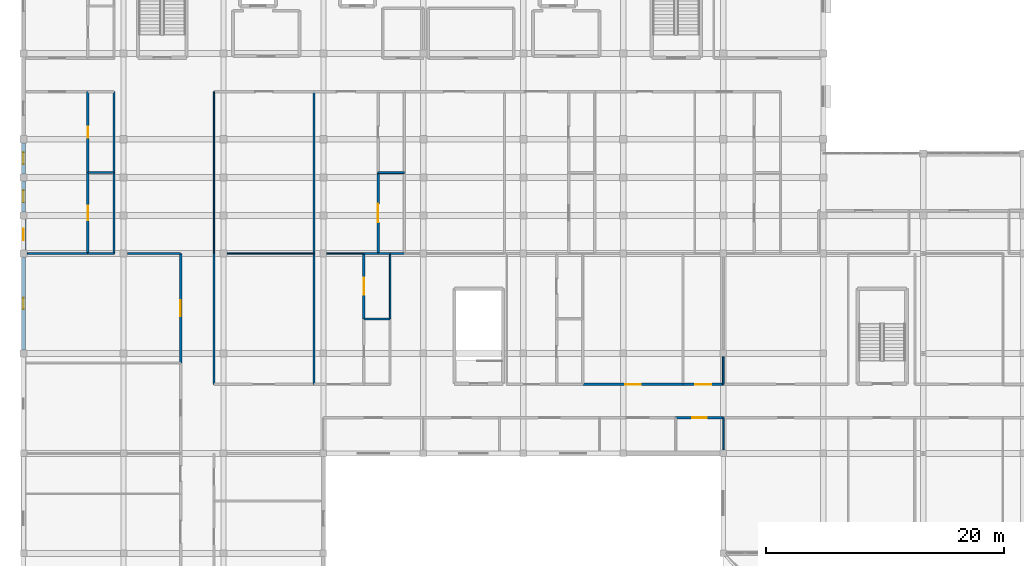
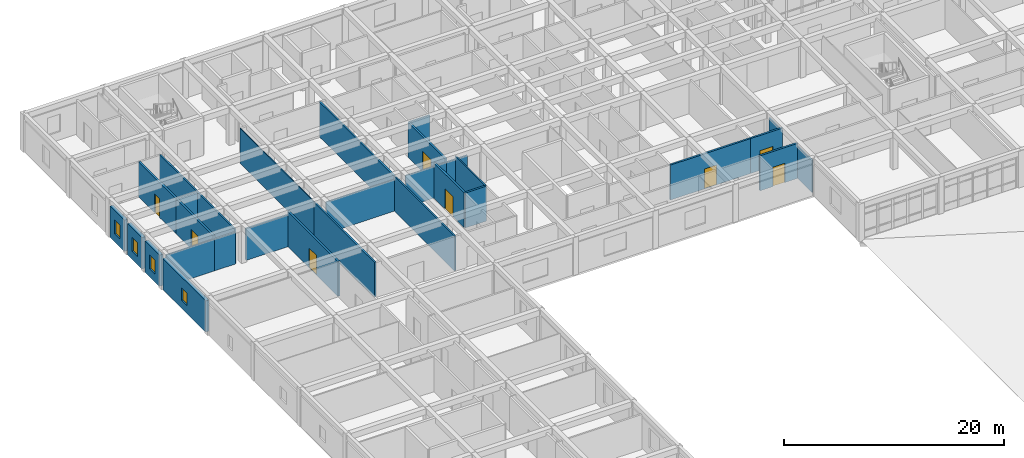
# One storey, part 47 of 77: 32 walls, 8 doors, 4 windows, 12 openings.
"""IFC4 building model written with IfcOpenShell, lengths in metres."""

from ifc_helpers import new_model, si_unit, direction, frame, frame_2d, origin, place, context, subcontext, project, spatial, rectangle, extrude, material, layer, layer_set, type_object, element, fill, save


model = new_model("IFC4")

# Units and contexts
model_context = context("Model", 3, precision=1e-05, world=origin(), true_north=direction((0.0, 1.0)))
body_context = subcontext(model_context, "Body", "Model", "MODEL_VIEW")
ifc_project = project(units=[si_unit("LENGTHUNIT", "METRE"), si_unit("AREAUNIT", "SQUARE_METRE"), si_unit("VOLUMEUNIT", "CUBIC_METRE"), si_unit("PLANEANGLEUNIT", "RADIAN"), si_unit("MASSUNIT", "GRAM", prefix="KILO")], contexts=[model_context])

# Site, building, storey
site_placement = place(None, origin())
site = spatial("IfcSite", under=ifc_project, at=site_placement, CompositionType="ELEMENT")
building_placement = place(site_placement, origin())
building = spatial("IfcBuilding", under=site, at=building_placement, Name="Varncliffe General Hospital", CompositionType="ELEMENT")
storey_placement = place(building_placement, frame((0.0, 0.0, 16.199951171875)))
storey = spatial("IfcBuildingStorey", under=building, at=storey_placement, Name="L03", CompositionType="ELEMENT", Elevation=16.199951171875)

# Wall, opening, window
ifc_material_1 = material(Name="Precast concrete C40/50 with insulated cream lime-cement stucco", Category="concrete")
ifc_layer_1 = layer(ifc_material_1, 0.3798828125)
ifc_layer_set_1 = layer_set([ifc_layer_1], Name="Precast concrete C40/50 with insulated cream lime-cement stucco")
wall_type_1 = type_object("IfcWallType", Name="Exterior Insulated Stucco Wall EW26 (380mm)", PredefinedType="SOLIDWALL", material=ifc_layer_set_1)
wall_1_placement = place(storey_placement, frame((0.0, 99.89794921875, 0.0), z_axis=(0.0, 0.0, 1.0), x_axis=(0.0, 1.0, 0.0)))
wall_1 = element("IfcWall", 1, at=wall_1_placement, inside=storey, type_object=wall_type_1, Name="L03 Exterior Stucco Wall EW26-231", PredefinedType="SOLIDWALL", context=body_context, shape_type="SweptSolid", body=[
    extrude(rectangle(XDim=2.60400390625, YDim=0.3798828125, at=frame_2d((1.302001953125, 0.0))), origin(), (0.0, 0.0, 1.0), 3.47998046875),
])
opening_1_placement = place(wall_1_placement, frame((0.802001953125, 0.0, 0.89990234375)))
opening_1 = element("IfcOpeningElement", 2, at=opening_1_placement, cuts=wall_1, Name="Opening WN21", PredefinedType="OPENING", context=body_context, shape_type="SweptSolid", body=[
    extrude(rectangle(XDim=1.0, YDim=1.550048828125, at=frame_2d((0.5, 0.77490234375))), frame((0.0, 0.199951171875, 0.0), z_axis=(0.0, -1.0, 0.0), x_axis=(1.0, 0.0, 0.0)), (0.0, 0.0, 1.0), 0.39990234375),
])
ifc_material_2 = material(Name="Triple low-E argon insulated vision glazing", Category="glass")
window_type_1 = type_object("IfcWindowType", Name="Triple-Glazed Hospital Window WN21 (1000x1550)", PartitioningType="SINGLE_PANEL", PredefinedType="WINDOW", material=ifc_material_2)
window_1_placement = place(opening_1_placement, origin())
window_1 = element("IfcWindow", 3, at=window_1_placement, inside=storey, type_object=window_type_1, Name="L03 Hospital Window WN21-153", OverallHeight=1.550048828125, OverallWidth=1.0, PartitioningType="SINGLE_PANEL", PredefinedType="WINDOW", context=body_context, shape_type="SweptSolid", body=[
    extrude(rectangle(XDim=1.0, YDim=1.550048828125, at=frame_2d((0.5, 0.77490234375))), frame((0.0, 0.030029296875, 0.0), z_axis=(0.0, -1.0, 0.0), x_axis=(1.0, 0.0, 0.0)), (0.0, 0.0, 1.0), 0.06005859375),
])
fill(opening_1, window_1)

ifc_layer_2 = layer(ifc_material_1, 0.330078125)
ifc_layer_set_2 = layer_set([ifc_layer_2], Name="Precast concrete C40/50 with insulated cream lime-cement stucco")
wall_type_2 = type_object("IfcWallType", Name="Exterior Insulated Stucco Wall EW33 (330mm)", PredefinedType="SOLIDWALL", material=ifc_layer_set_2)
wall_2_placement = place(storey_placement, frame((0.0, 106.298095703125, 0.0), z_axis=(0.0, 0.0, 1.0), x_axis=(0.0, 1.0, 0.0)))
wall_2 = element("IfcWall", 4, at=wall_2_placement, inside=storey, type_object=wall_type_2, Name="L03 Exterior Stucco Wall EW33-233", PredefinedType="SOLIDWALL", context=body_context, shape_type="SweptSolid", body=[
    extrude(rectangle(XDim=2.60400390625, YDim=0.330078125, at=frame_2d((1.302001953125, 0.0))), origin(), (0.0, 0.0, 1.0), 3.47998046875),
])
opening_2_placement = place(wall_2_placement, frame((0.802001953125, 0.0, 0.89990234375)))
opening_2 = element("IfcOpeningElement", 5, at=opening_2_placement, cuts=wall_2, Name="Opening WN21", PredefinedType="OPENING", context=body_context, shape_type="SweptSolid", body=[
    extrude(rectangle(XDim=1.0, YDim=1.550048828125, at=frame_2d((0.5, 0.77490234375))), frame((0.0, 0.175048828125, 0.0), z_axis=(0.0, -1.0, 0.0), x_axis=(1.0, 0.0, 0.0)), (0.0, 0.0, 1.0), 0.35009765625),
])
window_2_placement = place(opening_2_placement, origin())
window_2 = element("IfcWindow", 6, at=window_2_placement, inside=storey, type_object=window_type_1, Name="L03 Hospital Window WN21-155", OverallHeight=1.550048828125, OverallWidth=1.0, PartitioningType="SINGLE_PANEL", PredefinedType="WINDOW", context=body_context, shape_type="SweptSolid", body=[
    extrude(rectangle(XDim=1.0, YDim=1.550048828125, at=frame_2d((0.5, 0.77490234375))), frame((0.0, 0.030029296875, 0.0), z_axis=(0.0, -1.0, 0.0), x_axis=(1.0, 0.0, 0.0)), (0.0, 0.0, 1.0), 0.06005859375),
])
fill(opening_2, window_2)

ifc_layer_3 = layer(ifc_material_1, 0.35009765625)
ifc_layer_set_3 = layer_set([ifc_layer_3], Name="Precast concrete C40/50 with insulated cream lime-cement stucco")
wall_type_3 = type_object("IfcWallType", Name="Exterior Insulated Stucco Wall EW37 (350mm)", PredefinedType="SOLIDWALL", material=ifc_layer_set_3)
wall_3_placement = place(storey_placement, frame((0.0, 103.097900390625, 0.0), z_axis=(0.0, 0.0, 1.0), x_axis=(0.0, 1.0, 0.0)))
wall_3 = element("IfcWall", 7, at=wall_3_placement, inside=storey, type_object=wall_type_3, Name="L03 Exterior Stucco Wall EW37-232", PredefinedType="SOLIDWALL", context=body_context, shape_type="SweptSolid", body=[
    extrude(rectangle(XDim=2.60400390625, YDim=0.35009765625, at=frame_2d((1.302001953125, 0.0))), origin(), (0.0, 0.0, 1.0), 3.47998046875),
])
opening_3_placement = place(wall_3_placement, frame((0.802001953125, 0.0, 0.89990234375)))
opening_3 = element("IfcOpeningElement", 8, at=opening_3_placement, cuts=wall_3, Name="Opening WN21", PredefinedType="OPENING", context=body_context, shape_type="SweptSolid", body=[
    extrude(rectangle(XDim=1.0, YDim=1.550048828125, at=frame_2d((0.5, 0.77490234375))), frame((0.0, 0.18505859375, 0.0), z_axis=(0.0, -1.0, 0.0), x_axis=(1.0, 0.0, 0.0)), (0.0, 0.0, 1.0), 0.3701171875),
])
window_3_placement = place(opening_3_placement, origin())
window_3 = element("IfcWindow", 9, at=window_3_placement, inside=storey, type_object=window_type_1, Name="L03 Hospital Window WN21-154", OverallHeight=1.550048828125, OverallWidth=1.0, PartitioningType="SINGLE_PANEL", PredefinedType="WINDOW", context=body_context, shape_type="SweptSolid", body=[
    extrude(rectangle(XDim=1.0, YDim=1.550048828125, at=frame_2d((0.5, 0.77490234375))), frame((0.0, 0.030029296875, 0.0), z_axis=(0.0, -1.0, 0.0), x_axis=(1.0, 0.0, 0.0)), (0.0, 0.0, 1.0), 0.06005859375),
])
fill(opening_3, window_3)

wall_4_placement = place(storey_placement, frame((0.0, 91.498046875, 0.0), z_axis=(0.0, 0.0, 1.0), x_axis=(0.0, 1.0, 0.0)))
wall_4 = element("IfcWall", 10, at=wall_4_placement, inside=storey, type_object=wall_type_3, Name="L03 Exterior Stucco Wall EW37-304", PredefinedType="SOLIDWALL", context=body_context, shape_type="SweptSolid", body=[
    extrude(rectangle(XDim=7.803955078125, YDim=0.35009765625, at=frame_2d((3.90185546875, 0.0))), origin(), (0.0, 0.0, 1.0), 3.47998046875),
])
opening_4_placement = place(wall_4_placement, frame((3.427001953125, 0.0, 0.89990234375)))
opening_4 = element("IfcOpeningElement", 11, at=opening_4_placement, cuts=wall_4, Name="Opening WN39", PredefinedType="OPENING", context=body_context, shape_type="SweptSolid", body=[
    extrude(rectangle(XDim=0.949951171875, YDim=1.39990234375, at=frame_2d((0.47509765625, 0.699951171875))), frame((0.0, 0.18505859375, 0.0), z_axis=(0.0, -1.0, 0.0), x_axis=(1.0, 0.0, 0.0)), (0.0, 0.0, 1.0), 0.3701171875),
])
window_type_2 = type_object("IfcWindowType", Name="Triple-Glazed Hospital Window WN39 (950x1400)", PartitioningType="SINGLE_PANEL", PredefinedType="WINDOW", material=ifc_material_2)
window_4_placement = place(opening_4_placement, origin())
window_4 = element("IfcWindow", 12, at=window_4_placement, inside=storey, type_object=window_type_2, Name="L03 Hospital Window WN39-222", OverallHeight=1.39990234375, OverallWidth=0.949951171875, PartitioningType="SINGLE_PANEL", PredefinedType="WINDOW", context=body_context, shape_type="SweptSolid", body=[
    extrude(rectangle(XDim=0.949951171875, YDim=1.39990234375, at=frame_2d((0.47509765625, 0.699951171875))), frame((0.0, 0.030029296875, 0.0), z_axis=(0.0, -1.0, 0.0), x_axis=(1.0, 0.0, 0.0)), (0.0, 0.0, 1.0), 0.06005859375),
])
fill(opening_4, window_4)

# Walls
ifc_material_3 = material(Name="Acoustic clinical gypsum stud partition assembly", Category="gypsum")
ifc_layer_4 = layer(ifc_material_3, 0.1298828125)
ifc_layer_set_4 = layer_set([ifc_layer_4], Name="Acoustic clinical gypsum stud partition assembly")
wall_type_4 = type_object("IfcWallType", Name="Interior Partitioning IW11 (130mm)", PredefinedType="PARTITIONING", material=ifc_layer_set_4)
wall_5_placement = place(storey_placement, frame((0.31494140625, 99.60009765625, 0.0), z_axis=(0.0, 0.0, 1.0), x_axis=(1.0, 0.0, 0.0)))
element("IfcWall", 13, at=wall_5_placement, inside=storey, type_object=wall_type_4, Name="L03 Interior Partition Wall IW11-1398", PredefinedType="PARTITIONING", context=body_context, shape_type="SweptSolid", body=[
    extrude(rectangle(XDim=5.0849609375, YDim=0.1298828125, at=frame_2d((2.54248046875, 0.0))), origin(), (0.0, 0.0, 1.0), 3.53515625),
])
wall_6_placement = place(storey_placement, frame((28.60009765625, 99.60009765625, 0.0), z_axis=(0.0, 0.0, 1.0), x_axis=(1.0, 0.0, 0.0)))
element("IfcWall", 14, at=wall_6_placement, inside=storey, type_object=wall_type_4, Name="L03 Interior Partition Wall IW11-1403", PredefinedType="PARTITIONING", context=body_context, shape_type="SweptSolid", body=[
    extrude(rectangle(XDim=1.199951171875, YDim=0.1298828125, at=frame_2d((0.60009765625, 0.0))), origin(), (0.0, 0.0, 1.0), 3.53515625),
])
wall_7_placement = place(storey_placement, frame((30.800048828125, 94.10009765625, 0.0), z_axis=(0.0, 0.0, 1.0), x_axis=(0.0, 1.0, 0.0)))
element("IfcWall", 15, at=wall_7_placement, inside=storey, type_object=wall_type_4, Name="L03 Interior Partition Wall IW11-1543", PredefinedType="PARTITIONING", context=body_context, shape_type="SweptSolid", body=[
    extrude(rectangle(XDim=5.5, YDim=0.1298828125, at=frame_2d((2.75, 0.0))), origin(), (0.0, 0.0, 1.0), 3.89013671875),
])
wall_8_placement = place(storey_placement, frame((58.800048828125, 83.090087890625, 0.0), z_axis=(0.0, 0.0, 1.0), x_axis=(0.0, 1.0, 0.0)))
element("IfcWall", 16, at=wall_8_placement, inside=storey, type_object=wall_type_4, Name="L03 Interior Partition Wall IW11-1568", PredefinedType="PARTITIONING", context=body_context, shape_type="SweptSolid", body=[
    extrude(rectangle(XDim=2.7099609375, YDim=0.1298828125, at=frame_2d((1.35498046875, 0.0))), origin(), (0.0, 0.0, 1.0), 3.5849609375),
])
ifc_layer_5 = layer(ifc_material_3, 0.169921875)
ifc_layer_set_5 = layer_set([ifc_layer_5], Name="Acoustic clinical gypsum stud partition assembly")
wall_type_5 = type_object("IfcWallType", Name="Interior Partitioning IW20 (170mm)", PredefinedType="PARTITIONING", material=ifc_layer_set_5)
wall_9_placement = place(storey_placement, frame((8.715087890625, 99.60009765625, 0.0), z_axis=(0.0, 0.0, 1.0), x_axis=(1.0, 0.0, 0.0)))
element("IfcWall", 17, at=wall_9_placement, inside=storey, type_object=wall_type_5, Name="L03 Interior Partition Wall IW20-1400", PredefinedType="PARTITIONING", context=body_context, shape_type="SweptSolid", body=[
    extrude(rectangle(XDim=4.48486328125, YDim=0.169921875, at=frame_2d((2.242431640625, 0.0))), origin(), (0.0, 0.0, 1.0), 3.53515625),
])
wall_10_placement = place(storey_placement, frame((30.800048828125, 99.60009765625, 0.0), z_axis=(0.0, 0.0, 1.0), x_axis=(1.0, 0.0, 0.0)))
element("IfcWall", 18, at=wall_10_placement, inside=storey, type_object=wall_type_5, Name="L03 Interior Partition Wall IW20-1405", PredefinedType="PARTITIONING", context=body_context, shape_type="SweptSolid", body=[
    extrude(rectangle(XDim=1.199951171875, YDim=0.169921875, at=frame_2d((0.60009765625, 0.0))), origin(), (0.0, 0.0, 1.0), 3.53515625),
])
wall_11_placement = place(storey_placement, frame((16.0, 88.60009765625, 0.0), z_axis=(0.0, 0.0, 1.0), x_axis=(0.0, 1.0, 0.0)))
element("IfcWall", 19, at=wall_11_placement, inside=storey, type_object=wall_type_5, Name="L03 Interior Partition Wall IW20-1530", PredefinedType="PARTITIONING", context=body_context, shape_type="SweptSolid", body=[
    extrude(rectangle(XDim=11.0, YDim=0.169921875, at=frame_2d((5.5, 0.0))), origin(), (0.0, 0.0, 1.0), 3.89013671875),
])
wall_12_placement = place(storey_placement, frame((24.39990234375, 99.60009765625, 0.0), z_axis=(0.0, 0.0, 1.0), x_axis=(0.0, 1.0, 0.0)))
element("IfcWall", 20, at=wall_12_placement, inside=storey, type_object=wall_type_5, Name="L03 Interior Partition Wall IW20-1535", PredefinedType="PARTITIONING", context=body_context, shape_type="SweptSolid", body=[
    extrude(rectangle(XDim=13.599853515625, YDim=0.169921875, at=frame_2d((6.7998046875, 0.0))), origin(), (0.0, 0.0, 1.0), 3.89013671875),
])
ifc_layer_6 = layer(ifc_material_3, 0.14990234375)
ifc_layer_set_6 = layer_set([ifc_layer_6], Name="Acoustic clinical gypsum stud partition assembly")
wall_type_6 = type_object("IfcWallType", Name="Interior Partitioning IW35 (150mm)", PredefinedType="PARTITIONING", material=ifc_layer_set_6)
wall_13_placement = place(storey_placement, frame((5.39990234375, 99.60009765625, 0.0), z_axis=(0.0, 0.0, 1.0), x_axis=(1.0, 0.0, 0.0)))
element("IfcWall", 21, at=wall_13_placement, inside=storey, type_object=wall_type_6, Name="L03 Interior Partition Wall IW35-1399", PredefinedType="PARTITIONING", context=body_context, shape_type="SweptSolid", body=[
    extrude(rectangle(XDim=2.2001953125, YDim=0.14990234375, at=frame_2d((1.10009765625, 0.0))), origin(), (0.0, 0.0, 1.0), 3.53515625),
])
wall_14_placement = place(storey_placement, frame((29.800048828125, 99.60009765625, 0.0), z_axis=(0.0, 0.0, 1.0), x_axis=(1.0, 0.0, 0.0)))
element("IfcWall", 22, at=wall_14_placement, inside=storey, type_object=wall_type_6, Name="L03 Interior Partition Wall IW35-1404", PredefinedType="PARTITIONING", context=body_context, shape_type="SweptSolid", body=[
    extrude(rectangle(XDim=1.0, YDim=0.14990234375, at=frame_2d((0.5, 0.0))), origin(), (0.0, 0.0, 1.0), 3.53515625),
])
wall_15_placement = place(storey_placement, frame((7.60009765625, 99.60009765625, 0.0), z_axis=(0.0, 0.0, 1.0), x_axis=(0.0, 1.0, 0.0)))
element("IfcWall", 23, at=wall_15_placement, inside=storey, type_object=wall_type_6, Name="L03 Interior Partition Wall IW35-1514", PredefinedType="PARTITIONING", context=body_context, shape_type="SweptSolid", body=[
    extrude(rectangle(XDim=6.7998046875, YDim=0.14990234375, at=frame_2d((3.39990234375, 0.0))), origin(), (0.0, 0.0, 1.0), 3.89013671875),
])
wall_16_placement = place(storey_placement, frame((24.39990234375, 88.60009765625, 0.0), z_axis=(0.0, 0.0, 1.0), x_axis=(0.0, 1.0, 0.0)))
element("IfcWall", 24, at=wall_16_placement, inside=storey, type_object=wall_type_6, Name="L03 Interior Partition Wall IW35-1534", PredefinedType="PARTITIONING", context=body_context, shape_type="SweptSolid", body=[
    extrude(rectangle(XDim=11.0, YDim=0.14990234375, at=frame_2d((5.5, 0.0))), origin(), (0.0, 0.0, 1.0), 3.89013671875),
])
wall_17_placement = place(storey_placement, frame((58.800048828125, 88.60009765625, 0.0), z_axis=(0.0, 0.0, 1.0), x_axis=(0.0, 1.0, 0.0)))
element("IfcWall", 25, at=wall_17_placement, inside=storey, type_object=wall_type_6, Name="L03 Interior Partition Wall IW35-1570", PredefinedType="PARTITIONING", context=body_context, shape_type="SweptSolid", body=[
    extrude(rectangle(XDim=2.309814453125, YDim=0.14990234375, at=frame_2d((1.15478515625, 0.0))), origin(), (0.0, 0.0, 1.0), 3.5849609375),
])
ifc_layer_7 = layer(ifc_material_3, 0.090087890625)
ifc_layer_set_7 = layer_set([ifc_layer_7], Name="Acoustic clinical gypsum stud partition assembly")
wall_type_7 = type_object("IfcWallType", Name="Interior Partitioning IW42 (90mm)", PredefinedType="PARTITIONING", material=ifc_layer_set_7)
wall_18_placement = place(storey_placement, frame((17.114990234375, 99.60009765625, 0.0), z_axis=(0.0, 0.0, 1.0), x_axis=(1.0, 0.0, 0.0)))
element("IfcWall", 26, at=wall_18_placement, inside=storey, type_object=wall_type_7, Name="L03 Interior Partition Wall IW42-1401", PredefinedType="PARTITIONING", context=body_context, shape_type="SweptSolid", body=[
    extrude(rectangle(XDim=7.284912109375, YDim=0.090087890625, at=frame_2d((3.642578125, 0.0))), origin(), (0.0, 0.0, 1.0), 3.53515625),
])
wall_19_placement = place(storey_placement, frame((16.0, 99.60009765625, 0.0), z_axis=(0.0, 0.0, 1.0), x_axis=(0.0, 1.0, 0.0)))
element("IfcWall", 27, at=wall_19_placement, inside=storey, type_object=wall_type_7, Name="L03 Interior Partition Wall IW42-1531", PredefinedType="PARTITIONING", context=body_context, shape_type="SweptSolid", body=[
    extrude(rectangle(XDim=13.599853515625, YDim=0.090087890625, at=frame_2d((6.7998046875, 0.0))), origin(), (0.0, 0.0, 1.0), 3.89013671875),
])
ifc_layer_8 = layer(ifc_material_3, 0.110107421875)
ifc_layer_set_8 = layer_set([ifc_layer_8], Name="Acoustic clinical gypsum stud partition assembly")
wall_type_8 = type_object("IfcWallType", Name="Interior Partitioning IW65 (110mm)", PredefinedType="PARTITIONING", material=ifc_layer_set_8)
wall_20_placement = place(storey_placement, frame((25.489990234375, 99.60009765625, 0.0), z_axis=(0.0, 0.0, 1.0), x_axis=(1.0, 0.0, 0.0)))
element("IfcWall", 28, at=wall_20_placement, inside=storey, type_object=wall_type_8, Name="L03 Interior Partition Wall IW65-1402", PredefinedType="PARTITIONING", context=body_context, shape_type="SweptSolid", body=[
    extrude(rectangle(XDim=3.110107421875, YDim=0.110107421875, at=frame_2d((1.55517578125, 0.0))), origin(), (0.0, 0.0, 1.0), 3.53515625),
])

# Wall, opening, door
ifc_material_4 = material(Name="Fire-rated gypsum and mineral-wool partition assembly", Category="gypsum")
ifc_layer_9 = layer(ifc_material_4, 0.199951171875)
ifc_layer_set_9 = layer_set([ifc_layer_9], Name="Fire-rated gypsum and mineral-wool partition assembly")
wall_type_9 = type_object("IfcWallType", Name="Interior Partitioning PW63 (200mm)", PredefinedType="PARTITIONING", material=ifc_layer_set_9)
wall_21_placement = place(storey_placement, frame((54.800048828125, 85.800048828125, 0.0), z_axis=(0.0, 0.0, 1.0), x_axis=(1.0, 0.0, 0.0)))
wall_21 = element("IfcWall", 29, at=wall_21_placement, inside=storey, type_object=wall_type_9, Name="L03 Interior Partition Wall PW63-1367", PredefinedType="PARTITIONING", context=body_context, shape_type="SweptSolid", body=[
    extrude(rectangle(XDim=4.0, YDim=0.199951171875, at=frame_2d((2.0, 0.0))), origin(), (0.0, 0.0, 1.0), 3.89013671875),
])
opening_5_placement = place(wall_21_placement, frame((1.375, 0.0, 0.0)))
opening_5 = element("IfcOpeningElement", 30, at=opening_5_placement, cuts=wall_21, Name="Opening DC44", PredefinedType="OPENING", context=body_context, shape_type="SweptSolid", body=[
    extrude(rectangle(XDim=1.25, YDim=2.14990234375, at=frame_2d((0.625, 1.074951171875))), frame((0.0, 0.10986328125, 0.0), z_axis=(0.0, -1.0, 0.0), x_axis=(1.0, 0.0, 0.0)), (0.0, 0.0, 1.0), 0.219970703125),
])
ifc_material_5 = material(Name="Fire-rated hospital steel-frame vision-panel door", Category="steel")
door_type_1 = type_object("IfcDoorType", Name="Interior Hospital Door DC44 (1250x2150)", OperationType="NOTDEFINED", PredefinedType="DOOR", material=ifc_material_5)
door_1_placement = place(opening_5_placement, frame((1.25, 0.0, 0.0), z_axis=(0.0, 0.0, 1.0), x_axis=(-1.0, 0.0, 0.0)))
door_1 = element("IfcDoor", 31, at=door_1_placement, inside=storey, type_object=door_type_1, Name="L03 Interventional Cardiology Cath Suite 47 Door", OperationType="SINGLE_SWING_LEFT", OverallHeight=2.14990234375, OverallWidth=1.25, PredefinedType="DOOR", context=body_context, shape_type="SweptSolid", body=[
    extrude(rectangle(XDim=1.25, YDim=2.14990234375, at=frame_2d((0.625, 1.074951171875))), frame((0.0, 0.02490234375, 0.0), z_axis=(0.0, -1.0, 0.0), x_axis=(1.0, 0.0, 0.0)), (0.0, 0.0, 1.0), 0.050048828125),
])
fill(opening_5, door_1)

wall_22_placement = place(storey_placement, frame((47.0, 88.60009765625, 0.0), z_axis=(0.0, 0.0, 1.0), x_axis=(1.0, 0.0, 0.0)))
wall_22 = element("IfcWall", 32, at=wall_22_placement, inside=storey, type_object=wall_type_9, Name="L03 Interior Partition Wall PW63-1384", PredefinedType="PARTITIONING", context=body_context, shape_type="SweptSolid", body=[
    extrude(rectangle(XDim=8.39990234375, YDim=0.199951171875, at=frame_2d((4.199951171875, 0.0))), origin(), (0.0, 0.0, 1.0), 3.89013671875),
])
opening_6_placement = place(wall_22_placement, frame((3.550048828125, 0.0, 0.0)))
opening_6 = element("IfcOpeningElement", 33, at=opening_6_placement, cuts=wall_22, Name="Opening DC88", PredefinedType="OPENING", context=body_context, shape_type="SweptSolid", body=[
    extrude(rectangle(XDim=1.300048828125, YDim=2.199951171875, at=frame_2d((0.64990234375, 1.10009765625))), frame((0.0, 0.10986328125, 0.0), z_axis=(0.0, -1.0, 0.0), x_axis=(1.0, 0.0, 0.0)), (0.0, 0.0, 1.0), 0.219970703125),
])
door_type_2 = type_object("IfcDoorType", Name="Interior Hospital Door DC88 (1300x2200)", OperationType="NOTDEFINED", PredefinedType="DOOR", material=ifc_material_5)
door_2_placement = place(opening_6_placement, origin())
door_2 = element("IfcDoor", 34, at=door_2_placement, inside=storey, type_object=door_type_2, Name="L03 Interventional Cardiology Cath Suite 55 Door", OperationType="SINGLE_SWING_RIGHT", OverallHeight=2.199951171875, OverallWidth=1.300048828125, PredefinedType="DOOR", context=body_context, shape_type="SweptSolid", body=[
    extrude(rectangle(XDim=1.300048828125, YDim=2.199951171875, at=frame_2d((0.64990234375, 1.10009765625))), frame((0.0, 0.02490234375, 0.0), z_axis=(0.0, -1.0, 0.0), x_axis=(1.0, 0.0, 0.0)), (0.0, 0.0, 1.0), 0.050048828125),
])
fill(opening_6, door_2)

wall_23_placement = place(storey_placement, frame((55.39990234375, 88.60009765625, 0.0), z_axis=(0.0, 0.0, 1.0), x_axis=(1.0, 0.0, 0.0)))
wall_23 = element("IfcWall", 35, at=wall_23_placement, inside=storey, type_object=wall_type_9, Name="L03 Interior Partition Wall PW63-1385", PredefinedType="PARTITIONING", context=body_context, shape_type="SweptSolid", body=[
    extrude(rectangle(XDim=3.400146484375, YDim=0.199951171875, at=frame_2d((1.7001953125, 0.0))), origin(), (0.0, 0.0, 1.0), 3.89013671875),
])
opening_7_placement = place(wall_23_placement, frame((1.02490234375, 0.0, 0.0)))
opening_7 = element("IfcOpeningElement", 36, at=opening_7_placement, cuts=wall_23, Name="Opening DC85", PredefinedType="OPENING", context=body_context, shape_type="SweptSolid", body=[
    extrude(rectangle(XDim=1.35009765625, YDim=2.199951171875, at=frame_2d((0.675048828125, 1.10009765625))), frame((0.0, 0.10986328125, 0.0), z_axis=(0.0, -1.0, 0.0), x_axis=(1.0, 0.0, 0.0)), (0.0, 0.0, 1.0), 0.219970703125),
])
door_type_3 = type_object("IfcDoorType", Name="Interior Hospital Door DC85 (1350x2200)", OperationType="NOTDEFINED", PredefinedType="DOOR", material=ifc_material_5)
door_3_placement = place(opening_7_placement, origin())
door_3 = element("IfcDoor", 37, at=door_3_placement, inside=storey, type_object=door_type_3, Name="L03 Step-Down Intensive Care Room 56 Door", OperationType="SINGLE_SWING_LEFT", OverallHeight=2.199951171875, OverallWidth=1.35009765625, PredefinedType="DOOR", context=body_context, shape_type="SweptSolid", body=[
    extrude(rectangle(XDim=1.35009765625, YDim=2.199951171875, at=frame_2d((0.675048828125, 1.10009765625))), frame((0.0, 0.02490234375, 0.0), z_axis=(0.0, -1.0, 0.0), x_axis=(1.0, 0.0, 0.0)), (0.0, 0.0, 1.0), 0.050048828125),
])
fill(opening_7, door_3)

wall_24_placement = place(storey_placement, frame((5.39990234375, 99.60009765625, 0.0), z_axis=(0.0, 0.0, 1.0), x_axis=(0.0, 1.0, 0.0)))
wall_24 = element("IfcWall", 38, at=wall_24_placement, inside=storey, type_object=wall_type_9, Name="L03 Interior Partition Wall PW63-1510", PredefinedType="PARTITIONING", context=body_context, shape_type="SweptSolid", body=[
    extrude(rectangle(XDim=6.7998046875, YDim=0.199951171875, at=frame_2d((3.39990234375, 0.0))), origin(), (0.0, 0.0, 1.0), 3.89013671875),
])
opening_8_placement = place(wall_24_placement, frame((2.77490234375, 0.0, 0.0)))
opening_8 = element("IfcOpeningElement", 39, at=opening_8_placement, cuts=wall_24, Name="Opening DC44", PredefinedType="OPENING", context=body_context, shape_type="SweptSolid", body=[
    extrude(rectangle(XDim=1.25, YDim=2.14990234375, at=frame_2d((0.625, 1.074951171875))), frame((0.0, 0.10986328125, 0.0), z_axis=(0.0, -1.0, 0.0), x_axis=(1.0, 0.0, 0.0)), (0.0, 0.0, 1.0), 0.219970703125),
])
door_4_placement = place(opening_8_placement, frame((1.25, 0.0, 0.0), z_axis=(0.0, 0.0, 1.0), x_axis=(-1.0, 0.0, 0.0)))
door_4 = element("IfcDoor", 40, at=door_4_placement, inside=storey, type_object=door_type_1, Name="L03 Patient Medication and Hygiene Bay 102 Door", OperationType="SINGLE_SWING_LEFT", OverallHeight=2.14990234375, OverallWidth=1.25, PredefinedType="DOOR", context=body_context, shape_type="SweptSolid", body=[
    extrude(rectangle(XDim=1.25, YDim=2.14990234375, at=frame_2d((0.625, 1.074951171875))), frame((0.0, 0.02490234375, 0.0), z_axis=(0.0, -1.0, 0.0), x_axis=(1.0, 0.0, 0.0)), (0.0, 0.0, 1.0), 0.050048828125),
])
fill(opening_8, door_4)

wall_25_placement = place(storey_placement, frame((5.39990234375, 106.39990234375, 0.0), z_axis=(0.0, 0.0, 1.0), x_axis=(0.0, 1.0, 0.0)))
wall_25 = element("IfcWall", 41, at=wall_25_placement, inside=storey, type_object=wall_type_9, Name="L03 Interior Partition Wall PW63-1511", PredefinedType="PARTITIONING", context=body_context, shape_type="SweptSolid", body=[
    extrude(rectangle(XDim=6.800048828125, YDim=0.199951171875, at=frame_2d((3.39990234375, 0.0))), origin(), (0.0, 0.0, 1.0), 3.89013671875),
])
opening_9_placement = place(wall_25_placement, frame((2.93994140625, 0.0, 0.0)))
opening_9 = element("IfcOpeningElement", 42, at=opening_9_placement, cuts=wall_25, Name="Opening DI70", PredefinedType="OPENING", context=body_context, shape_type="SweptSolid", body=[
    extrude(rectangle(XDim=0.919921875, YDim=2.10009765625, at=frame_2d((0.4599609375, 1.050048828125))), frame((0.0, 0.10986328125, 0.0), z_axis=(0.0, -1.0, 0.0), x_axis=(1.0, 0.0, 0.0)), (0.0, 0.0, 1.0), 0.219970703125),
])
ifc_material_6 = material(Name="Solid-core antimicrobial hospital oak veneer door", Category="wood")
door_type_4 = type_object("IfcDoorType", Name="Interior Hospital Door DI70 (920x2100)", OperationType="NOTDEFINED", PredefinedType="DOOR", material=ifc_material_6)
door_5_placement = place(opening_9_placement, frame((0.919921875, 0.0, 0.0), z_axis=(0.0, 0.0, 1.0), x_axis=(-1.0, 0.0, 0.0)))
door_5 = element("IfcDoor", 43, at=door_5_placement, inside=storey, type_object=door_type_4, Name="L03 En-Suite Bathroom 101 Door", OperationType="SINGLE_SWING_RIGHT", OverallHeight=2.10009765625, OverallWidth=0.919921875, PredefinedType="DOOR", context=body_context, shape_type="SweptSolid", body=[
    extrude(rectangle(XDim=0.919921875, YDim=2.10009765625, at=frame_2d((0.4599609375, 1.050048828125))), frame((0.0, 0.02490234375, 0.0), z_axis=(0.0, -1.0, 0.0), x_axis=(1.0, 0.0, 0.0)), (0.0, 0.0, 1.0), 0.050048828125),
])
fill(opening_9, door_5)

wall_26_placement = place(storey_placement, frame((13.199951171875, 90.39990234375, 0.0), z_axis=(0.0, 0.0, 1.0), x_axis=(0.0, 1.0, 0.0)))
wall_26 = element("IfcWall", 44, at=wall_26_placement, inside=storey, type_object=wall_type_9, Name="L03 Interior Partition Wall PW63-1523", PredefinedType="PARTITIONING", context=body_context, shape_type="SweptSolid", body=[
    extrude(rectangle(XDim=9.2001953125, YDim=0.199951171875, at=frame_2d((4.60009765625, 0.0))), origin(), (0.0, 0.0, 1.0), 3.89013671875),
])
opening_10_placement = place(wall_26_placement, frame((3.925048828125, 0.0, 0.0)))
opening_10 = element("IfcOpeningElement", 45, at=opening_10_placement, cuts=wall_26, Name="Opening DC85", PredefinedType="OPENING", context=body_context, shape_type="SweptSolid", body=[
    extrude(rectangle(XDim=1.35009765625, YDim=2.199951171875, at=frame_2d((0.675048828125, 1.10009765625))), frame((0.0, 0.10986328125, 0.0), z_axis=(0.0, -1.0, 0.0), x_axis=(1.0, 0.0, 0.0)), (0.0, 0.0, 1.0), 0.219970703125),
])
door_6_placement = place(opening_10_placement, origin())
door_6 = element("IfcDoor", 46, at=door_6_placement, inside=storey, type_object=door_type_3, Name="L03 Inpatient Physiotherapy Gym Bay 142 Door", OperationType="SINGLE_SWING_RIGHT", OverallHeight=2.199951171875, OverallWidth=1.35009765625, PredefinedType="DOOR", context=body_context, shape_type="SweptSolid", body=[
    extrude(rectangle(XDim=1.35009765625, YDim=2.199951171875, at=frame_2d((0.675048828125, 1.10009765625))), frame((0.0, 0.02490234375, 0.0), z_axis=(0.0, -1.0, 0.0), x_axis=(1.0, 0.0, 0.0)), (0.0, 0.0, 1.0), 0.050048828125),
])
fill(opening_10, door_6)

wall_27_placement = place(storey_placement, frame((28.60009765625, 94.10009765625, 0.0), z_axis=(0.0, 0.0, 1.0), x_axis=(0.0, 1.0, 0.0)))
wall_27 = element("IfcWall", 47, at=wall_27_placement, inside=storey, type_object=wall_type_9, Name="L03 Interior Partition Wall PW63-1538", PredefinedType="PARTITIONING", context=body_context, shape_type="SweptSolid", body=[
    extrude(rectangle(XDim=5.5, YDim=0.199951171875, at=frame_2d((2.75, 0.0))), origin(), (0.0, 0.0, 1.0), 3.89013671875),
])
opening_11_placement = place(wall_27_placement, frame((2.02490234375, 0.0, 0.0)))
opening_11 = element("IfcOpeningElement", 48, at=opening_11_placement, cuts=wall_27, Name="Opening DC66", PredefinedType="OPENING", context=body_context, shape_type="SweptSolid", body=[
    extrude(rectangle(XDim=1.449951171875, YDim=2.25, at=frame_2d((0.72509765625, 1.125))), frame((0.0, 0.10986328125, 0.0), z_axis=(0.0, -1.0, 0.0), x_axis=(1.0, 0.0, 0.0)), (0.0, 0.0, 1.0), 0.219970703125),
])
door_type_5 = type_object("IfcDoorType", Name="Interior Hospital Door DC66 (1450x2250)", OperationType="NOTDEFINED", PredefinedType="DOOR", material=ifc_material_5)
door_7_placement = place(opening_11_placement, frame((1.449951171875, 0.0, 0.0), z_axis=(0.0, 0.0, 1.0), x_axis=(-1.0, 0.0, 0.0)))
door_7 = element("IfcDoor", 49, at=door_7_placement, inside=storey, type_object=door_type_5, Name="L03 Patient Medication and Hygiene Bay 51 Door", OperationType="SINGLE_SWING_RIGHT", OverallHeight=2.25, OverallWidth=1.449951171875, PredefinedType="DOOR", context=body_context, shape_type="SweptSolid", body=[
    extrude(rectangle(XDim=1.449951171875, YDim=2.25, at=frame_2d((0.72509765625, 1.125))), frame((0.0, 0.02490234375, 0.0), z_axis=(0.0, -1.0, 0.0), x_axis=(1.0, 0.0, 0.0)), (0.0, 0.0, 1.0), 0.050048828125),
])
fill(opening_11, door_7)

wall_28_placement = place(storey_placement, frame((29.800048828125, 99.60009765625, 0.0), z_axis=(0.0, 0.0, 1.0), x_axis=(0.0, 1.0, 0.0)))
wall_28 = element("IfcWall", 50, at=wall_28_placement, inside=storey, type_object=wall_type_9, Name="L03 Interior Partition Wall PW63-1539", PredefinedType="PARTITIONING", context=body_context, shape_type="SweptSolid", body=[
    extrude(rectangle(XDim=6.7998046875, YDim=0.199951171875, at=frame_2d((3.39990234375, 0.0))), origin(), (0.0, 0.0, 1.0), 3.89013671875),
])
opening_12_placement = place(wall_28_placement, frame((2.625, 0.0, 0.0)))
opening_12 = element("IfcOpeningElement", 51, at=opening_12_placement, cuts=wall_28, Name="Opening DC67", PredefinedType="OPENING", context=body_context, shape_type="SweptSolid", body=[
    extrude(rectangle(XDim=1.550048828125, YDim=2.25, at=frame_2d((0.77490234375, 1.125))), frame((0.0, 0.10986328125, 0.0), z_axis=(0.0, -1.0, 0.0), x_axis=(1.0, 0.0, 0.0)), (0.0, 0.0, 1.0), 0.219970703125),
])
door_type_6 = type_object("IfcDoorType", Name="Interior Hospital Door DC67 (1550x2250)", OperationType="NOTDEFINED", PredefinedType="DOOR", material=ifc_material_5)
door_8_placement = place(opening_12_placement, frame((1.550048828125, 0.0, 0.0), z_axis=(0.0, 0.0, 1.0), x_axis=(-1.0, 0.0, 0.0)))
door_8 = element("IfcDoor", 52, at=door_8_placement, inside=storey, type_object=door_type_6, Name="L03 Patient Medication and Hygiene Bay 106 Door", OperationType="SINGLE_SWING_LEFT", OverallHeight=2.25, OverallWidth=1.550048828125, PredefinedType="DOOR", context=body_context, shape_type="SweptSolid", body=[
    extrude(rectangle(XDim=1.550048828125, YDim=2.25, at=frame_2d((0.77490234375, 1.125))), frame((0.0, 0.02490234375, 0.0), z_axis=(0.0, -1.0, 0.0), x_axis=(1.0, 0.0, 0.0)), (0.0, 0.0, 1.0), 0.050048828125),
])
fill(opening_12, door_8)

# Walls
ifc_material_7 = material(Name="Moisture-resistant plumbing chase wall assembly", Category="gypsum")
ifc_layer_10 = layer(ifc_material_7, 0.18994140625)
ifc_layer_set_10 = layer_set([ifc_layer_10], Name="Moisture-resistant plumbing chase wall assembly")
wall_type_10 = type_object("IfcWallType", Name="Interior Plumbingwall MW17 (190mm)", PredefinedType="PLUMBINGWALL", material=ifc_layer_set_10)
wall_29_placement = place(storey_placement, frame((28.60009765625, 94.10009765625, 0.0), z_axis=(0.0, 0.0, 1.0), x_axis=(1.0, 0.0, 0.0)))
element("IfcWall", 53, at=wall_29_placement, inside=storey, type_object=wall_type_10, Name="L03 Interior Plumbing Wall MW17-1396", PredefinedType="PLUMBINGWALL", context=body_context, shape_type="SweptSolid", body=[
    extrude(rectangle(XDim=2.199951171875, YDim=0.18994140625, at=frame_2d((1.10009765625, 0.0))), origin(), (0.0, 0.0, 1.0), 3.89013671875),
])
wall_30_placement = place(storey_placement, frame((5.39990234375, 106.39990234375, 0.0), z_axis=(0.0, 0.0, 1.0), x_axis=(1.0, 0.0, 0.0)))
element("IfcWall", 54, at=wall_30_placement, inside=storey, type_object=wall_type_10, Name="L03 Interior Plumbing Wall MW17-1452", PredefinedType="PLUMBINGWALL", context=body_context, shape_type="SweptSolid", body=[
    extrude(rectangle(XDim=2.2001953125, YDim=0.18994140625, at=frame_2d((1.10009765625, 0.0))), origin(), (0.0, 0.0, 1.0), 3.89013671875),
])
ifc_layer_11 = layer(ifc_material_7, 0.159912109375)
ifc_layer_set_11 = layer_set([ifc_layer_11], Name="Moisture-resistant plumbing chase wall assembly")
wall_type_11 = type_object("IfcWallType", Name="Interior Plumbingwall MW31 (160mm)", PredefinedType="PLUMBINGWALL", material=ifc_layer_set_11)
wall_31_placement = place(storey_placement, frame((29.800048828125, 106.39990234375, 0.0), z_axis=(0.0, 0.0, 1.0), x_axis=(1.0, 0.0, 0.0)))
element("IfcWall", 55, at=wall_31_placement, inside=storey, type_object=wall_type_11, Name="L03 Interior Plumbing Wall MW31-1453", PredefinedType="PLUMBINGWALL", context=body_context, shape_type="SweptSolid", body=[
    extrude(rectangle(XDim=2.199951171875, YDim=0.159912109375, at=frame_2d((1.10009765625, 0.0))), origin(), (0.0, 0.0, 1.0), 3.89013671875),
])
wall_32_placement = place(storey_placement, frame((7.60009765625, 106.39990234375, 0.0), z_axis=(0.0, 0.0, 1.0), x_axis=(0.0, 1.0, 0.0)))
element("IfcWall", 56, at=wall_32_placement, inside=storey, type_object=wall_type_11, Name="L03 Interior Plumbing Wall MW31-1515", PredefinedType="PLUMBINGWALL", context=body_context, shape_type="SweptSolid", body=[
    extrude(rectangle(XDim=6.800048828125, YDim=0.159912109375, at=frame_2d((3.39990234375, 0.0))), origin(), (0.0, 0.0, 1.0), 3.89013671875),
])

save(model, "model.ifc")
